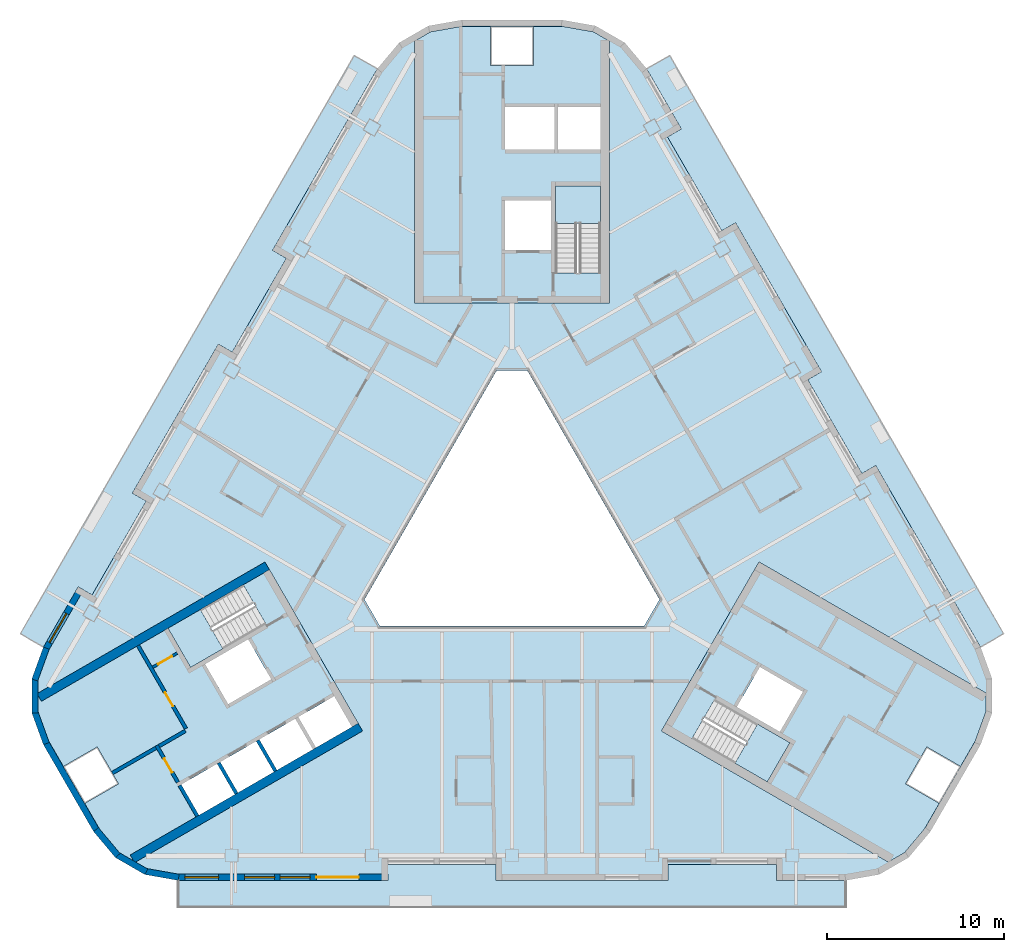
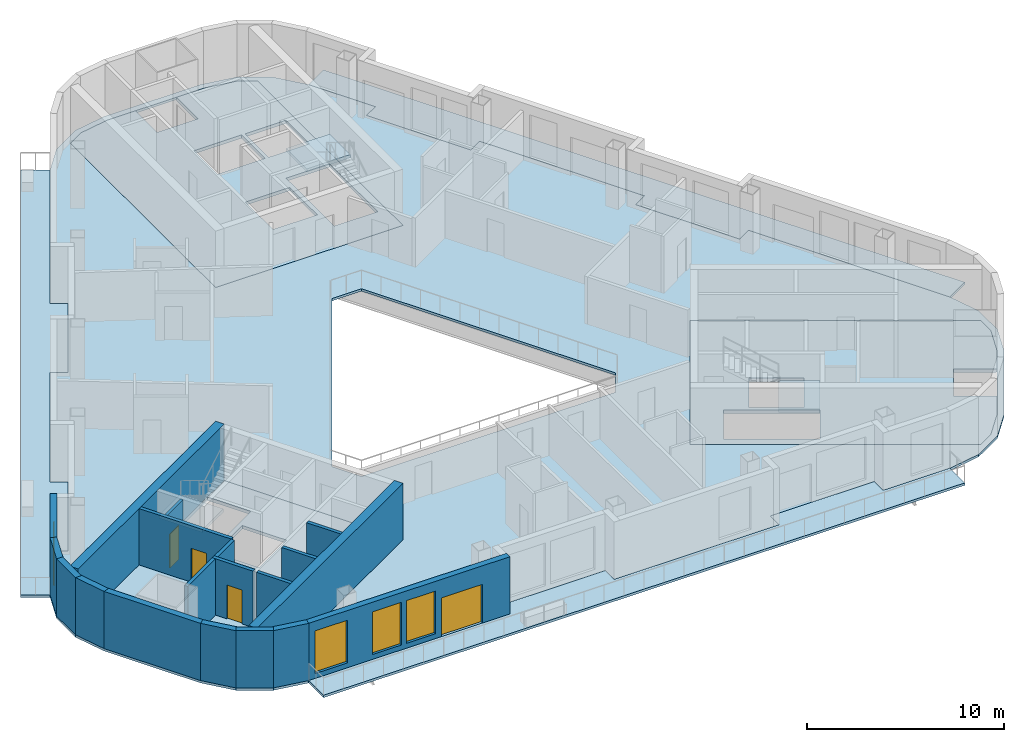
# One storey, part 2 of 13: 19 walls, 10 slabs, 4 doors, 4 windows, 8 openings, 3 elements without a shape of their own.
"""IFC4 building model written with IfcOpenShell, lengths in metres."""

from ifc_helpers import new_model, si_unit, direction, frame, frame_2d, origin, place, context, subcontext, project, spatial, polyline, rectangle, outline, extrude, material, layer, layer_set, type_object, element, fill, aggregate, save


model = new_model("IFC4")

# Units and contexts
model_context = context("Model", 3, precision=1e-05, world=origin(), true_north=direction((0.0, 1.0)))
body_context = subcontext(model_context, "Body", "Model", "MODEL_VIEW")
ifc_project = project(units=[si_unit("LENGTHUNIT", "METRE"), si_unit("AREAUNIT", "SQUARE_METRE"), si_unit("VOLUMEUNIT", "CUBIC_METRE"), si_unit("PLANEANGLEUNIT", "RADIAN"), si_unit("MASSUNIT", "GRAM", prefix="KILO")], contexts=[model_context])

# Site, building, storey
site_placement = place(None, origin())
site = spatial("IfcSite", under=ifc_project, at=site_placement, CompositionType="ELEMENT")
building_placement = place(site_placement, origin())
building = spatial("IfcBuilding", under=site, at=building_placement, Name="Apuvela Tower Hotel", CompositionType="ELEMENT")
storey_placement = place(building_placement, frame((0.0, 0.0, 194.699951171875)))
storey = spatial("IfcBuildingStorey", under=building, at=storey_placement, Name="L47", CompositionType="ELEMENT", Elevation=194.699951171875)

# Slabs
ifc_material_1 = material(Name="Concrete C50/60", Category="concrete")
ifc_layer_1 = layer(ifc_material_1, 0.199951171875)
ifc_layer_set_1 = layer_set([ifc_layer_1], Name="COR-FLOOR-200")
slab_type_1 = type_object("IfcSlabType", Name="COR-FLOOR-200", PredefinedType="FLOOR", material=ifc_layer_set_1)
slab_1_placement = place(storey_placement, frame((0.0, 0.0, -0.199951171875)))
element("IfcSlab", 1, at=slab_1_placement, inside=storey, type_object=slab_type_1, Name="Core floor N", PredefinedType="FLOOR", context=body_context, shape_type="SweptSolid", body=[
    extrude(outline(polyline([(5.5, 27.668212890625), (4.588623046875, 28.1943359375), (2.85498046875, 28.5), (1.199951171875, 28.5), (1.199951171875, 26.300048828125), (-1.199951171875, 26.300048828125), (-1.199951171875, 28.5), (-2.85498046875, 28.5), (-4.588623046875, 28.1943359375), (-5.5, 27.668212890625), (-5.5, 12.89990234375), (5.5, 12.89990234375), (5.5, 27.668212890625)]), holes=[polyline([(5.0, 14.60595703125), (2.449951171875, 14.60595703125), (2.449951171875, 19.5), (5.0, 19.5), (5.0, 14.60595703125)]), polyline([(2.199951171875, 15.89990234375), (-0.39990234375, 15.89990234375), (-0.39990234375, 18.699951171875), (2.199951171875, 18.699951171875), (2.199951171875, 15.89990234375)]), polyline([(5.0, 21.550048828125), (2.60009765625, 21.550048828125), (2.60009765625, 23.949951171875), (5.0, 23.949951171875), (5.0, 21.550048828125)]), polyline([(2.39990234375, 21.550048828125), (-0.39990234375, 21.550048828125), (-0.39990234375, 23.949951171875), (2.39990234375, 23.949951171875), (2.39990234375, 21.550048828125)])]), origin(), (0.0, 0.0, 1.0), 0.199951171875),
])
slab_2_placement = place(storey_placement, frame((0.0, 0.0, -0.199951171875)))
element("IfcSlab", 2, at=slab_2_placement, inside=storey, type_object=slab_type_1, Name="Core floor SW", PredefinedType="FLOOR", context=body_context, shape_type="SweptSolid", body=[
    extrude(outline(polyline([(-26.711181640625, -9.07080078125), (-26.711181640625, -10.123291015625), (-26.109375, -11.77734375), (-25.28173828125, -13.210693359375), (-23.37646484375, -12.11083984375), (-22.176513671875, -14.189208984375), (-24.081787109375, -15.289306640625), (-23.254150390625, -16.72265625), (-22.122802734375, -18.071044921875), (-21.211181640625, -18.59716796875), (-8.421630859375, -11.213134765625), (-13.921630859375, -1.68701171875), (-26.711181640625, -9.07080078125)]), holes=[polyline([(-10.01806640625, -9.248046875), (-9.01806640625, -10.97998046875), (-11.044677734375, -12.150146484375), (-12.044677734375, -10.418212890625), (-10.01806640625, -9.248046875)]), polyline([(-14.244384765625, -11.68798828125), (-12.2177734375, -10.51806640625), (-11.2177734375, -12.25), (-13.244384765625, -13.420166015625), (-14.244384765625, -11.68798828125)]), polyline([(-19.387451171875, -5.419921875), (-15.149169921875, -2.972900390625), (-13.874267578125, -5.18115234375), (-18.112548828125, -7.628173828125), (-19.387451171875, -5.419921875)]), polyline([(-14.869873046875, -6.044677734375), (-13.56982421875, -8.29638671875), (-15.99462890625, -9.6962890625), (-17.294677734375, -7.444580078125), (-14.869873046875, -6.044677734375)]), polyline([(-16.444091796875, -12.9580078125), (-14.41748046875, -11.7880859375), (-13.41748046875, -13.52001953125), (-15.444091796875, -14.690185546875), (-16.444091796875, -12.9580078125)]), polyline([(-18.643798828125, -14.22802734375), (-16.6171875, -13.05810546875), (-15.6171875, -14.7900390625), (-17.643798828125, -15.960205078125), (-18.643798828125, -14.22802734375)])]), origin(), (0.0, 0.0, 1.0), 0.199951171875),
])
slab_3_placement = place(storey_placement, frame((0.0, 0.0, -0.199951171875)))
element("IfcSlab", 3, at=slab_3_placement, inside=storey, type_object=slab_type_1, Name="Core floor SE", PredefinedType="FLOOR", context=body_context, shape_type="SweptSolid", body=[
    extrude(outline(polyline([(21.211181640625, -18.59716796875), (22.122802734375, -18.071044921875), (23.254150390625, -16.72265625), (24.081787109375, -15.289306640625), (22.176513671875, -14.189208984375), (23.37646484375, -12.11083984375), (25.28173828125, -13.210693359375), (26.109375, -11.77734375), (26.711181640625, -10.123291015625), (26.711181640625, -9.07080078125), (13.921630859375, -1.68701171875), (8.421630859375, -11.213134765625), (21.211181640625, -18.59716796875)]), holes=[polyline([(11.42431640625, -9.4248046875), (15.66259765625, -11.871826171875), (14.387451171875, -14.080078125), (10.149169921875, -11.633056640625), (11.42431640625, -9.4248046875)]), polyline([(13.9697265625, -7.603515625), (16.394775390625, -9.003662109375), (15.0947265625, -11.25537109375), (12.669921875, -9.855224609375), (13.9697265625, -7.603515625)])]), origin(), (0.0, 0.0, 1.0), 0.199951171875),
])

# Stair, slab
stair_type = type_object("IfcStairType", Name="COR-STAIR-22R", PredefinedType="HALF_TURN_STAIR", material=ifc_material_1)
stair_1_placement = place(storey_placement, origin())
stair_1 = element("IfcStair", 4, at=stair_1_placement, inside=storey, type_object=stair_type, Name="L47 Exit stair ST1", PredefinedType="HALF_TURN_STAIR")
ifc_layer_2 = layer(ifc_material_1, 0.199951171875)
ifc_layer_set_2 = layer_set([ifc_layer_2], Name="COR-LANDING-200")
slab_type_2 = type_object("IfcSlabType", Name="COR-LANDING-200", PredefinedType="LANDING", material=ifc_layer_set_2)
slab_4_placement = place(storey_placement, frame((0.0, 0.0, 1.650146484375)))
slab_4 = element("IfcSlab", 5, at=slab_4_placement, type_object=slab_type_2, Name="ST1 landing 1", PredefinedType="LANDING", context=body_context, shape_type="SweptSolid", body=[
    extrude(outline(polyline([(5.0, 17.39404296875), (5.0, 19.5), (2.449951171875, 19.5), (2.449951171875, 17.39404296875), (5.0, 17.39404296875)])), origin(), (0.0, 0.0, 1.0), 0.199951171875),
])
aggregate(stair_1, [slab_4])

stair_2_placement = place(storey_placement, origin())
stair_2 = element("IfcStair", 6, at=stair_2_placement, inside=storey, type_object=stair_type, Name="L47 Exit stair ST2", PredefinedType="HALF_TURN_STAIR")
slab_5_placement = place(storey_placement, frame((0.0, 0.0, 1.650146484375)))
slab_5 = element("IfcSlab", 7, at=slab_5_placement, type_object=slab_type_2, Name="ST2 landing 1", PredefinedType="LANDING", context=body_context, shape_type="SweptSolid", body=[
    extrude(outline(polyline([(-17.563720703125, -4.366943359375), (-19.387451171875, -5.419921875), (-18.112548828125, -7.628173828125), (-16.28857421875, -6.5751953125), (-17.563720703125, -4.366943359375)])), origin(), (0.0, 0.0, 1.0), 0.199951171875),
])
aggregate(stair_2, [slab_5])

stair_3_placement = place(storey_placement, origin())
stair_3 = element("IfcStair", 8, at=stair_3_placement, inside=storey, type_object=stair_type, Name="L47 Exit stair ST3", PredefinedType="HALF_TURN_STAIR")
slab_6_placement = place(storey_placement, frame((0.0, 0.0, 1.650146484375)))
slab_6 = element("IfcSlab", 9, at=slab_6_placement, type_object=slab_type_2, Name="ST3 landing 1", PredefinedType="LANDING", context=body_context, shape_type="SweptSolid", body=[
    extrude(outline(polyline([(12.563720703125, -13.027099609375), (14.387451171875, -14.080078125), (15.66259765625, -11.871826171875), (13.838623046875, -10.81884765625), (12.563720703125, -13.027099609375)])), origin(), (0.0, 0.0, 1.0), 0.199951171875),
])
aggregate(stair_3, [slab_6])

# Slabs
ifc_material_2 = material(Name="Concrete C40/50, fair-faced", Category="concrete")
ifc_layer_3 = layer(ifc_material_2, 0.14990234375)
ifc_layer_set_3 = layer_set([ifc_layer_3], Name="ENV-BALCONY-150")
slab_type_3 = type_object("IfcSlabType", Name="ENV-BALCONY-150", PredefinedType="FLOOR", material=ifc_layer_set_3)
slab_7_placement = place(storey_placement, frame((0.0, 0.0, -0.14990234375)))
element("IfcSlab", 10, at=slab_7_placement, inside=storey, type_object=slab_type_3, Name="Balcony slab S L47", PredefinedType="FLOOR", context=body_context, shape_type="SweptSolid", body=[
    extrude(outline(polyline([(18.82080078125, -21.135009765625), (-18.82080078125, -21.135009765625), (-18.82080078125, -19.625), (-7.0048828125, -19.625), (-7.0048828125, -18.72509765625), (-0.89501953125, -18.72509765625), (-0.89501953125, -19.625), (8.794921875, -19.625), (8.794921875, -18.72509765625), (14.905029296875, -18.72509765625), (14.905029296875, -19.625), (18.82080078125, -19.625), (18.82080078125, -21.135009765625)])), origin(), (0.0, 0.0, 1.0), 0.14990234375),
])
slab_8_placement = place(storey_placement, frame((0.0, 0.0, -0.14990234375)))
element("IfcSlab", 11, at=slab_8_placement, inside=storey, type_object=slab_type_3, Name="Balcony slab NE L47", PredefinedType="FLOOR", context=body_context, shape_type="SweptSolid", body=[
    extrude(outline(polyline([(17.443359375, 9.037353515625), (12.598388671875, 17.42919921875), (11.81884765625, 16.979248046875), (8.763916015625, 22.2705078125), (9.543212890625, 22.720703125), (7.585205078125, 26.11181640625), (8.89306640625, 26.86669921875), (27.7138671875, -5.731689453125), (26.40625, -6.48681640625), (20.498291015625, 3.74609375), (19.71875, 3.2958984375), (16.663818359375, 8.58740234375), (17.443359375, 9.037353515625)])), origin(), (0.0, 0.0, 1.0), 0.14990234375),
])
slab_9_placement = place(storey_placement, frame((0.0, 0.0, -0.14990234375)))
element("IfcSlab", 12, at=slab_9_placement, inside=storey, type_object=slab_type_3, Name="Balcony slab NW L47", PredefinedType="FLOOR", context=body_context, shape_type="SweptSolid", body=[
    extrude(outline(polyline([(-27.7138671875, -5.731689453125), (-8.89306640625, 26.86669921875), (-7.585205078125, 26.11181640625), (-13.4931640625, 15.87890625), (-12.7138671875, 15.428955078125), (-15.768798828125, 10.1376953125), (-16.548095703125, 10.587646484375), (-21.393310546875, 2.19580078125), (-20.61376953125, 1.745849609375), (-23.668701171875, -3.545654296875), (-24.4482421875, -3.095703125), (-26.40625, -6.48681640625), (-27.7138671875, -5.731689453125)])), origin(), (0.0, 0.0, 1.0), 0.14990234375),
])
ifc_material_3 = material(Name="Concrete C35/45", Category="concrete")
ifc_layer_4 = layer(ifc_material_3, 0.14990234375)
ifc_layer_set_4 = layer_set([ifc_layer_4], Name="STR-SLAB 150 floor Concrete C35/45")
slab_type_4 = type_object("IfcSlabType", Name="STR-SLAB 150 floor Concrete C35/45", PredefinedType="FLOOR", material=ifc_layer_set_4)
slab_10_placement = place(storey_placement, frame((0.0, 0.0, -0.14990234375)))
element("IfcSlab", 13, at=slab_10_placement, inside=storey, type_object=slab_type_4, Name="Floor slab S4 L47", PredefinedType="FLOOR", context=body_context, shape_type="SweptSolid", body=[
    extrude(outline(polyline([(-6.3642578125, 27.5732421875), (-4.710205078125, 28.5283203125), (-2.8291015625, 28.860107421875), (2.8291015625, 28.860107421875), (4.710205078125, 28.5283203125), (6.3642578125, 27.5732421875), (7.59228515625, 26.110107421875), (9.550048828125, 22.71875), (8.770751953125, 22.268798828125), (11.82080078125, 16.986083984375), (12.60009765625, 17.43603515625), (17.4501953125, 9.035400390625), (16.670654296875, 8.58544921875), (19.720703125, 3.302734375), (20.5, 3.752685546875), (26.407958984375, -6.47998046875), (27.061279296875, -8.27490234375), (27.061279296875, -10.18505859375), (26.407958984375, -11.97998046875), (23.5791015625, -16.8798828125), (22.351318359375, -18.34326171875), (20.697021484375, -19.29833984375), (18.81591796875, -19.6298828125), (14.89990234375, -19.6298828125), (14.89990234375, -18.72998046875), (8.800048828125, -18.72998046875), (8.800048828125, -19.6298828125), (-0.89990234375, -19.6298828125), (-0.89990234375, -18.72998046875), (-7.0, -18.72998046875), (-7.0, -19.6298828125), (-18.81591796875, -19.6298828125), (-20.697021484375, -19.29833984375), (-22.351318359375, -18.34326171875), (-23.5791015625, -16.8798828125), (-26.407958984375, -11.97998046875), (-27.061279296875, -10.18505859375), (-27.061279296875, -8.27490234375), (-26.407958984375, -6.47998046875), (-24.4501953125, -3.088623046875), (-23.670654296875, -3.538818359375), (-20.62060546875, 1.743896484375), (-21.400146484375, 2.194091796875), (-16.550048828125, 10.594482421875), (-15.7705078125, 10.14453125), (-12.720703125, 15.42724609375), (-13.5, 15.877197265625), (-7.59228515625, 26.110107421875), (-6.3642578125, 27.5732421875)]), holes=[polyline([(0.865966796875, 9.10009765625), (-0.865966796875, 9.10009765625), (-8.313720703125, -3.800048828125), (-7.44775390625, -5.300048828125), (7.44775390625, -5.300048828125), (8.313720703125, -3.800048828125), (0.865966796875, 9.10009765625)]), polyline([(-5.5, 12.89990234375), (-5.5, 27.668212890625), (-4.588623046875, 28.1943359375), (-2.85498046875, 28.5), (2.85498046875, 28.5), (4.588623046875, 28.1943359375), (5.5, 27.668212890625), (5.5, 12.89990234375), (-5.5, 12.89990234375)]), polyline([(-8.421630859375, -11.213134765625), (-21.211181640625, -18.59716796875), (-22.122802734375, -18.071044921875), (-23.254150390625, -16.72265625), (-26.109375, -11.77734375), (-26.711181640625, -10.123291015625), (-26.711181640625, -9.07080078125), (-13.921630859375, -1.68701171875), (-8.421630859375, -11.213134765625)]), polyline([(13.921630859375, -1.68701171875), (26.711181640625, -9.07080078125), (26.711181640625, -10.123291015625), (26.109375, -11.77734375), (23.254150390625, -16.72265625), (22.122802734375, -18.071044921875), (21.211181640625, -18.59716796875), (8.421630859375, -11.213134765625), (13.921630859375, -1.68701171875)])]), origin(), (0.0, 0.0, 1.0), 0.14990234375),
])

# Walls
ifc_layer_5 = layer(ifc_material_1, 0.5)
ifc_layer_set_5 = layer_set([ifc_layer_5], Name="COR-WALL-CORE-500")
wall_type_1 = type_object("IfcWallType", Name="COR-WALL-CORE-500", PredefinedType="SHEAR", material=ifc_layer_set_5)
for number, where, z_axis, x_axis, name in (
    (14, (-13.796630859375, -1.9033203125, 0.0), (0.0, 0.0, 1.0), (-0.866025009528, -0.500000682871, 0.0), "Core wall SW"),
    (15, (-8.546630859375, -10.99658203125, 0.0), (0.0, 0.0, 1.0), (-0.866025009528, -0.500000682871, 0.0), "Core wall SW"),
):
    element("IfcWall", number, at=place(storey_placement, frame(where, z_axis=z_axis, x_axis=x_axis)), inside=storey, type_object=wall_type_1, Name=name, PredefinedType="SHEAR", context=body_context, shape_type="SweptSolid", body=[
        extrude(rectangle(XDim=14.8369140625, YDim=0.5, at=frame_2d((7.41845703125, 0.0))), origin(), (0.0, 0.0, 1.0), 3.5),
    ])

# Wall, opening, door
ifc_material_4 = material(Name="Blockwork 150 mm plastered", Category="masonry")
ifc_layer_6 = layer(ifc_material_4, 0.14990234375)
ifc_layer_set_6 = layer_set([ifc_layer_6], Name="COR-WALL-PART-150")
wall_type_2 = type_object("IfcWallType", Name="COR-WALL-PART-150", PredefinedType="PARTITIONING", material=ifc_layer_set_6)
wall_1_placement = place(storey_placement, frame((-18.866455078125, -6.822265625, 0.0), z_axis=(0.0, 0.0, 1.0), x_axis=(-0.866028054938, -0.499995408039, 0.0)))
wall_1 = element("IfcWall", 16, at=wall_1_placement, inside=storey, type_object=wall_type_2, Name="Partition SW", PredefinedType="PARTITIONING", context=body_context, shape_type="SweptSolid", body=[
    extrude(rectangle(XDim=1.60009765625, YDim=0.14990234375, at=frame_2d((0.800048828125, 0.0))), origin(), (0.0, 0.0, 1.0), 3.5),
])
opening_1_placement = place(wall_1_placement, frame((0.35009765625, 0.0, 0.0)))
opening_1 = element("IfcOpeningElement", 17, at=opening_1_placement, cuts=wall_1, Name="Opening W-RD", PredefinedType="OPENING", context=body_context, shape_type="SweptSolid", body=[
    extrude(rectangle(XDim=0.89990234375, YDim=2.10009765625, at=frame_2d((0.449951171875, 1.050048828125))), frame((0.0, 0.0849609375, 0.0), z_axis=(0.0, -1.0, 0.0), x_axis=(1.0, 0.0, 0.0)), (0.0, 0.0, 1.0), 0.169921875),
])
ifc_material_5 = material(Name="Steel access door, powder coated", Category="steel")
door_type_1 = type_object("IfcDoorType", Name="COR-RD-900", OperationType="NOTDEFINED", PredefinedType="DOOR", material=ifc_material_5)
door_1_placement = place(opening_1_placement, frame((0.89990234375, 0.0, 0.0), z_axis=(0.0, 0.0, 1.0), x_axis=(-1.0, 0.0, 0.0)))
door_1 = element("IfcDoor", 18, at=door_1_placement, inside=storey, type_object=door_type_1, Name="Riser door W-RD", OperationType="SINGLE_SWING_RIGHT", OverallHeight=2.10009765625, OverallWidth=0.89990234375, PredefinedType="DOOR", context=body_context, shape_type="SweptSolid", body=[
    extrude(rectangle(XDim=0.89990234375, YDim=2.10009765625, at=frame_2d((0.449951171875, 1.050048828125))), frame((0.0, 0.02490234375, 0.0), z_axis=(0.0, -1.0, 0.0), x_axis=(1.0, 0.0, 0.0)), (0.0, 0.0, 1.0), 0.050048828125),
])
fill(opening_1, door_1)

ifc_material_6 = material(Name="Blockwork 200 mm plastered", Category="masonry")
ifc_layer_7 = layer(ifc_material_6, 0.199951171875)
ifc_layer_set_7 = layer_set([ifc_layer_7], Name="COR-WALL-PART-200")
wall_type_3 = type_object("IfcWallType", Name="COR-WALL-PART-200", PredefinedType="PARTITIONING", material=ifc_layer_set_7)
wall_2_placement = place(storey_placement, frame((-21.076171875, -6.39501953125, 0.0), z_axis=(0.0, 0.0, 1.0), x_axis=(0.50001468107, -0.866016927499, 0.0)))
wall_2 = element("IfcWall", 19, at=wall_2_placement, inside=storey, type_object=wall_type_3, Name="Partition SW", PredefinedType="PARTITIONING", context=body_context, shape_type="SweptSolid", body=[
    extrude(rectangle(XDim=5.399658203125, YDim=0.199951171875, at=frame_2d((2.69970703125, 0.0))), origin(), (0.0, 0.0, 1.0), 3.5),
])
opening_2_placement = place(wall_2_placement, frame((3.050048828125, 0.0, 0.0)))
opening_2 = element("IfcOpeningElement", 20, at=opening_2_placement, cuts=wall_2, Name="Opening W-RS1", PredefinedType="OPENING", context=body_context, shape_type="SweptSolid", body=[
    extrude(rectangle(XDim=0.89990234375, YDim=2.10009765625, at=frame_2d((0.449951171875, 1.050048828125))), frame((0.0, 0.10986328125, 0.0), z_axis=(0.0, -1.0, 0.0), x_axis=(1.0, 0.0, 0.0)), (0.0, 0.0, 1.0), 0.219970703125),
])
ifc_material_7 = material(Name="Steel fire door, powder coated", Category="steel")
door_type_2 = type_object("IfcDoorType", Name="COR-DR-900", OperationType="NOTDEFINED", PredefinedType="DOOR", material=ifc_material_7)
door_2_placement = place(opening_2_placement, frame((0.89990234375, 0.0, 0.0), z_axis=(0.0, 0.0, 1.0), x_axis=(-1.0, 0.0, 0.0)))
door_2 = element("IfcDoor", 21, at=door_2_placement, inside=storey, type_object=door_type_2, Name="Store door W-RS1", OperationType="SINGLE_SWING_LEFT", OverallHeight=2.10009765625, OverallWidth=0.89990234375, PredefinedType="DOOR", context=body_context, shape_type="SweptSolid", body=[
    extrude(rectangle(XDim=0.89990234375, YDim=2.10009765625, at=frame_2d((0.449951171875, 1.050048828125))), frame((0.0, 0.02490234375, 0.0), z_axis=(0.0, -1.0, 0.0), x_axis=(1.0, 0.0, 0.0)), (0.0, 0.0, 1.0), 0.050048828125),
])
fill(opening_2, door_2)

ifc_layer_8 = layer(ifc_material_1, 0.199951171875)
ifc_layer_set_8 = layer_set([ifc_layer_8], Name="COR-WALL-SHAFT-200")
wall_type_4 = type_object("IfcWallType", Name="COR-WALL-SHAFT-200", PredefinedType="SHEAR", material=ifc_layer_set_8)
wall_3_placement = place(storey_placement, frame((-20.030517578125, -12.0263671875, 0.0), z_axis=(0.0, 0.0, 1.0), x_axis=(0.500033551112, -0.866006032174, 0.0)))
wall_3 = element("IfcWall", 22, at=wall_3_placement, inside=storey, type_object=wall_type_4, Name="Shaft wall SW", PredefinedType="SHEAR", context=body_context, shape_type="SweptSolid", body=[
    extrude(rectangle(XDim=2.400146484375, YDim=0.199951171875, at=frame_2d((1.2001953125, 0.0))), origin(), (0.0, 0.0, 1.0), 3.5),
])
opening_3_placement = place(wall_3_placement, frame((0.85009765625, 0.0, 0.0)))
opening_3 = element("IfcOpeningElement", 23, at=opening_3_placement, cuts=wall_3, Name="Opening W-REP", PredefinedType="OPENING", context=body_context, shape_type="SweptSolid", body=[
    extrude(rectangle(XDim=0.89990234375, YDim=2.10009765625, at=frame_2d((0.449951171875, 1.050048828125))), frame((0.0, 0.10986328125, 0.0), z_axis=(0.0, -1.0, 0.0), x_axis=(1.0, 0.0, 0.0)), (0.0, 0.0, 1.0), 0.219970703125),
])
door_3_placement = place(opening_3_placement, frame((0.89990234375, 0.0, 0.0), z_axis=(0.0, 0.0, 1.0), x_axis=(-1.0, 0.0, 0.0)))
door_3 = element("IfcDoor", 24, at=door_3_placement, inside=storey, type_object=door_type_2, Name="Store door W-REP", OperationType="SINGLE_SWING_LEFT", OverallHeight=2.10009765625, OverallWidth=0.89990234375, PredefinedType="DOOR", context=body_context, shape_type="SweptSolid", body=[
    extrude(rectangle(XDim=0.89990234375, YDim=2.10009765625, at=frame_2d((0.449951171875, 1.050048828125))), frame((0.0, 0.02490234375, 0.0), z_axis=(0.0, -1.0, 0.0), x_axis=(1.0, 0.0, 0.0)), (0.0, 0.0, 1.0), 0.050048828125),
])
fill(opening_3, door_3)

# Walls
wall_4_placement = place(storey_placement, frame((-18.412841796875, -11.2080078125, 0.0), z_axis=(0.0, 0.0, 1.0), x_axis=(-0.866038183914, -0.499977863513, 0.0)))
element("IfcWall", 25, at=wall_4_placement, inside=storey, type_object=wall_type_4, Name="Shaft wall SW", PredefinedType="SHEAR", context=body_context, shape_type="SweptSolid", body=[
    extrude(rectangle(XDim=1.7099609375, YDim=0.199951171875, at=frame_2d((0.85498046875, 0.0))), origin(), (0.0, 0.0, 1.0), 3.5),
])
for number, where, z_axis, x_axis, name in (
    (26, (-14.330810546875, -11.738037109375, 0.0), (0.0, 0.0, 1.0), (0.499972520799, -0.866041268327, 0.0), "Shaft wall SW"),
    (27, (-16.530517578125, -13.008056640625, 0.0), (0.0, 0.0, 1.0), (0.50002537861, -0.866010750942, 0.0), "Shaft wall SW"),
    (28, (-18.73046875, -14.278076171875, 0.0), (0.0, 0.0, 1.0), (0.50002537861, -0.866010750942, 0.0), "Shaft wall SW"),
):
    element("IfcWall", number, at=place(storey_placement, frame(where, z_axis=z_axis, x_axis=x_axis)), inside=storey, type_object=wall_type_4, Name=name, PredefinedType="SHEAR", context=body_context, shape_type="SweptSolid", body=[
        extrude(rectangle(XDim=2.0, YDim=0.199951171875, at=frame_2d((1.0, 0.0))), origin(), (0.0, 0.0, 1.0), 3.5),
    ])
wall_5_placement = place(storey_placement, frame((-20.06689453125, -12.1630859375, 0.0), z_axis=(0.0, 0.0, 1.0), x_axis=(-0.866055327414, -0.49994816717, 0.0)))
element("IfcWall", 29, at=wall_5_placement, inside=storey, type_object=wall_type_4, Name="Shaft wall SW", PredefinedType="SHEAR", context=body_context, shape_type="SweptSolid", body=[
    extrude(rectangle(XDim=2.840087890625, YDim=0.199951171875, at=frame_2d((1.419921875, 0.0))), origin(), (0.0, 0.0, 1.0), 3.5),
])

# Wall, opening, window
ifc_material_8 = material(Name="Concrete C40/50, dark pigmented precast panel", Category="concrete")
ifc_layer_9 = layer(ifc_material_8, 0.35009765625)
ifc_layer_set_9 = layer_set([ifc_layer_9], Name="ENV-WALL-350")
wall_type_5 = type_object("IfcWallType", Name="ENV-WALL-350", PredefinedType="SOLIDWALL", material=ifc_layer_set_9)
wall_6_placement = place(storey_placement, frame((-24.298583984375, -3.17626953125, 0.0), z_axis=(0.0, 0.0, 1.0), x_axis=(-0.500028278809, -0.866009076391, 0.0)))
wall_6 = element("IfcWall", 30, at=wall_6_placement, inside=storey, type_object=wall_type_5, Name="External wall L47-09", PredefinedType="SOLIDWALL", context=body_context, shape_type="SweptSolid", body=[
    extrude(rectangle(XDim=3.915771484375, YDim=0.35009765625, at=frame_2d((1.9580078125, 0.0))), origin(), (0.0, 0.0, 1.0), 3.550048828125),
])
opening_4_placement = place(wall_6_placement, frame((1.625, 0.0, 0.300048828125)))
opening_4 = element("IfcOpeningElement", 31, at=opening_4_placement, cuts=wall_6, Name="Opening WN19", PredefinedType="OPENING", context=body_context, shape_type="SweptSolid", body=[
    extrude(rectangle(XDim=1.89990234375, YDim=2.64990234375, at=frame_2d((0.949951171875, 1.324951171875))), frame((0.0, 0.18505859375, 0.0), z_axis=(0.0, -1.0, 0.0), x_axis=(1.0, 0.0, 0.0)), (0.0, 0.0, 1.0), 0.3701171875),
])
ifc_material_9 = material(Name="Glass, dark tinted laminated insulated glazing unit", Category="glass")
window_type_1 = type_object("IfcWindowType", Name="ENV-WIN-1900x2650", PartitioningType="SINGLE_PANEL", PredefinedType="WINDOW", material=ifc_material_9)
window_1_placement = place(opening_4_placement, origin())
window_1 = element("IfcWindow", 32, at=window_1_placement, inside=storey, type_object=window_type_1, Name="Window WN19", OverallHeight=2.64990234375, OverallWidth=1.89990234375, PartitioningType="SINGLE_PANEL", PredefinedType="WINDOW", context=body_context, shape_type="SweptSolid", body=[
    extrude(rectangle(XDim=1.89990234375, YDim=2.64990234375, at=frame_2d((0.949951171875, 1.324951171875))), frame((0.0, 0.030029296875, 0.0), z_axis=(0.0, -1.0, 0.0), x_axis=(1.0, 0.0, 0.0)), (0.0, 0.0, 1.0), 0.06005859375),
])
fill(opening_4, window_1)

# Walls
for number, where, z_axis, x_axis, name in (
    (33, (-26.24365234375, -6.539794921875, 0.0), (0.0, 0.0, 1.0), (-0.342030395486, -0.939688889242, 0.0), "External wall L47-10"),
    (34, (-26.88623046875, -8.27490234375, 0.0), (0.0, 0.0, 1.0), (0.0, -1.0, 0.0), "External wall L47-11"),
    (35, (-26.89697265625, -10.125244140625, 0.0), (0.0, 0.0, 1.0), (0.342030395486, -0.939688889242, 0.0), "External wall L47-12"),
):
    element("IfcWall", number, at=place(storey_placement, frame(where, z_axis=z_axis, x_axis=x_axis)), inside=storey, type_object=wall_type_5, Name=name, PredefinedType="SOLIDWALL", context=body_context, shape_type="SweptSolid", body=[
        extrude(rectangle(XDim=1.91015625, YDim=0.35009765625, at=frame_2d((0.955078125, 0.0))), origin(), (0.0, 0.0, 1.0), 3.550048828125),
    ])
wall_7_placement = place(storey_placement, frame((-26.256591796875, -11.892578125, 0.0), z_axis=(0.0, 0.0, 1.0), x_axis=(0.500018773155, -0.866014564827, 0.0)))
element("IfcWall", 36, at=wall_7_placement, inside=storey, type_object=wall_type_5, Name="External wall L47-13", PredefinedType="SOLIDWALL", context=body_context, shape_type="SweptSolid", body=[
    extrude(rectangle(XDim=5.657958984375, YDim=0.35009765625, at=frame_2d((2.8291015625, 0.0))), origin(), (0.0, 0.0, 1.0), 3.550048828125),
])
for number, where, z_axis, x_axis, name in (
    (37, (-23.44482421875, -16.767578125, 0.0), (0.0, 0.0, 1.0), (0.642733291068, -0.76609001857, 0.0), "External wall L47-14"),
    (38, (-22.263671875, -18.191650390625, 0.0), (0.0, 0.0, 1.0), (0.866000389056, -0.500043324278, 0.0), "External wall L47-15"),
):
    element("IfcWall", number, at=place(storey_placement, frame(where, z_axis=z_axis, x_axis=x_axis)), inside=storey, type_object=wall_type_5, Name=name, PredefinedType="SOLIDWALL", context=body_context, shape_type="SweptSolid", body=[
        extrude(rectangle(XDim=1.909912109375, YDim=0.35009765625, at=frame_2d((0.955078125, 0.0))), origin(), (0.0, 0.0, 1.0), 3.550048828125),
    ])
wall_8_placement = place(storey_placement, frame((-20.66650390625, -19.1259765625, 0.0), z_axis=(0.0, 0.0, 1.0), x_axis=(0.984798995425, -0.173697837091, 0.0)))
element("IfcWall", 39, at=wall_8_placement, inside=storey, type_object=wall_type_5, Name="External wall L47-16", PredefinedType="SOLIDWALL", context=body_context, shape_type="SweptSolid", body=[
    extrude(rectangle(XDim=1.91015625, YDim=0.35009765625, at=frame_2d((0.955078125, 0.0))), origin(), (0.0, 0.0, 1.0), 3.550048828125),
])

# Wall, openings, door, windows
wall_9_placement = place(storey_placement, frame((-18.81591796875, -19.455078125, 0.0), z_axis=(0.0, 0.0, 1.0), x_axis=(1.0, 0.0, 0.0)))
wall_9 = element("IfcWall", 40, at=wall_9_placement, inside=storey, type_object=wall_type_5, Name="External wall L47-17", PredefinedType="SOLIDWALL", context=body_context, shape_type="SweptSolid", body=[
    extrude(rectangle(XDim=11.81591796875, YDim=0.35009765625, at=frame_2d((5.907958984375, 0.0))), origin(), (0.0, 0.0, 1.0), 3.550048828125),
])
opening_5_placement = place(wall_9_placement, frame((0.380615234375, 0.0, 0.300048828125)))
opening_5 = element("IfcOpeningElement", 41, at=opening_5_placement, cuts=wall_9, Name="Opening WN19", PredefinedType="OPENING", context=body_context, shape_type="SweptSolid", body=[
    extrude(rectangle(XDim=1.89990234375, YDim=2.64990234375, at=frame_2d((0.949951171875, 1.324951171875))), frame((0.0, 0.18505859375, 0.0), z_axis=(0.0, -1.0, 0.0), x_axis=(1.0, 0.0, 0.0)), (0.0, 0.0, 1.0), 0.3701171875),
])
opening_6_placement = place(wall_9_placement, frame((7.790283203125, 0.0, 0.0)))
opening_6 = element("IfcOpeningElement", 42, at=opening_6_placement, cuts=wall_9, Name="Opening BD24", PredefinedType="OPENING", context=body_context, shape_type="SweptSolid", body=[
    extrude(rectangle(XDim=2.39990234375, YDim=2.39990234375, at=frame_2d((1.199951171875, 1.199951171875))), frame((0.0, 0.18505859375, 0.0), z_axis=(0.0, -1.0, 0.0), x_axis=(1.0, 0.0, 0.0)), (0.0, 0.0, 1.0), 0.3701171875),
])
opening_7_placement = place(wall_9_placement, frame((3.740966796875, 0.0, 0.300048828125)))
opening_7 = element("IfcOpeningElement", 43, at=opening_7_placement, cuts=wall_9, Name="Opening WN17", PredefinedType="OPENING", context=body_context, shape_type="SweptSolid", body=[
    extrude(rectangle(XDim=1.699951171875, YDim=2.64990234375, at=frame_2d((0.85009765625, 1.324951171875))), frame((0.0, 0.18505859375, 0.0), z_axis=(0.0, -1.0, 0.0), x_axis=(1.0, 0.0, 0.0)), (0.0, 0.0, 1.0), 0.3701171875),
])
opening_8_placement = place(wall_9_placement, frame((5.740966796875, 0.0, 0.300048828125)))
opening_8 = element("IfcOpeningElement", 44, at=opening_8_placement, cuts=wall_9, Name="Opening WN17", PredefinedType="OPENING", context=body_context, shape_type="SweptSolid", body=[
    extrude(rectangle(XDim=1.699951171875, YDim=2.64990234375, at=frame_2d((0.85009765625, 1.324951171875))), frame((0.0, 0.18505859375, 0.0), z_axis=(0.0, -1.0, 0.0), x_axis=(1.0, 0.0, 0.0)), (0.0, 0.0, 1.0), 0.3701171875),
])
ifc_material_10 = material(Name="Aluminium 6063-T6, dark bronze anodised frame with dark tinted laminated glass", Category="aluminium")
door_type_3 = type_object("IfcDoorType", Name="ENV-DOOR-BALCONY-2400x2400", OperationType="SLIDING_TO_LEFT", PredefinedType="DOOR", material=ifc_material_10)
door_4_placement = place(opening_6_placement, frame((2.39990234375, 0.0, 0.0), z_axis=(0.0, 0.0, 1.0), x_axis=(-1.0, 0.0, 0.0)))
door_4 = element("IfcDoor", 45, at=door_4_placement, inside=storey, type_object=door_type_3, Name="Balcony door BD24", OperationType="SLIDING_TO_LEFT", OverallHeight=2.39990234375, OverallWidth=2.39990234375, PredefinedType="DOOR", context=body_context, shape_type="SweptSolid", body=[
    extrude(rectangle(XDim=2.39990234375, YDim=2.39990234375, at=frame_2d((1.199951171875, 1.199951171875))), frame((0.0, 0.02490234375, 0.0), z_axis=(0.0, -1.0, 0.0), x_axis=(1.0, 0.0, 0.0)), (0.0, 0.0, 1.0), 0.050048828125),
])
fill(opening_6, door_4)
window_type_2 = type_object("IfcWindowType", Name="ENV-WIN-1700x2650", PartitioningType="SINGLE_PANEL", PredefinedType="WINDOW", material=ifc_material_9)
window_2_placement = place(opening_7_placement, origin())
window_2 = element("IfcWindow", 46, at=window_2_placement, inside=storey, type_object=window_type_2, Name="Window WN17", OverallHeight=2.64990234375, OverallWidth=1.699951171875, PartitioningType="SINGLE_PANEL", PredefinedType="WINDOW", context=body_context, shape_type="SweptSolid", body=[
    extrude(rectangle(XDim=1.699951171875, YDim=2.64990234375, at=frame_2d((0.85009765625, 1.324951171875))), frame((0.0, 0.030029296875, 0.0), z_axis=(0.0, -1.0, 0.0), x_axis=(1.0, 0.0, 0.0)), (0.0, 0.0, 1.0), 0.06005859375),
])
fill(opening_7, window_2)
window_3_placement = place(opening_8_placement, origin())
window_3 = element("IfcWindow", 47, at=window_3_placement, inside=storey, type_object=window_type_2, Name="Window WN17", OverallHeight=2.64990234375, OverallWidth=1.699951171875, PartitioningType="SINGLE_PANEL", PredefinedType="WINDOW", context=body_context, shape_type="SweptSolid", body=[
    extrude(rectangle(XDim=1.699951171875, YDim=2.64990234375, at=frame_2d((0.85009765625, 1.324951171875))), frame((0.0, 0.030029296875, 0.0), z_axis=(0.0, -1.0, 0.0), x_axis=(1.0, 0.0, 0.0)), (0.0, 0.0, 1.0), 0.06005859375),
])
fill(opening_8, window_3)
window_4_placement = place(opening_5_placement, origin())
window_4 = element("IfcWindow", 48, at=window_4_placement, inside=storey, type_object=window_type_1, Name="Window WN19", OverallHeight=2.64990234375, OverallWidth=1.89990234375, PartitioningType="SINGLE_PANEL", PredefinedType="WINDOW", context=body_context, shape_type="SweptSolid", body=[
    extrude(rectangle(XDim=1.89990234375, YDim=2.64990234375, at=frame_2d((0.949951171875, 1.324951171875))), frame((0.0, 0.030029296875, 0.0), z_axis=(0.0, -1.0, 0.0), x_axis=(1.0, 0.0, 0.0)), (0.0, 0.0, 1.0), 0.06005859375),
])
fill(opening_5, window_4)

save(model, "model.ifc")
